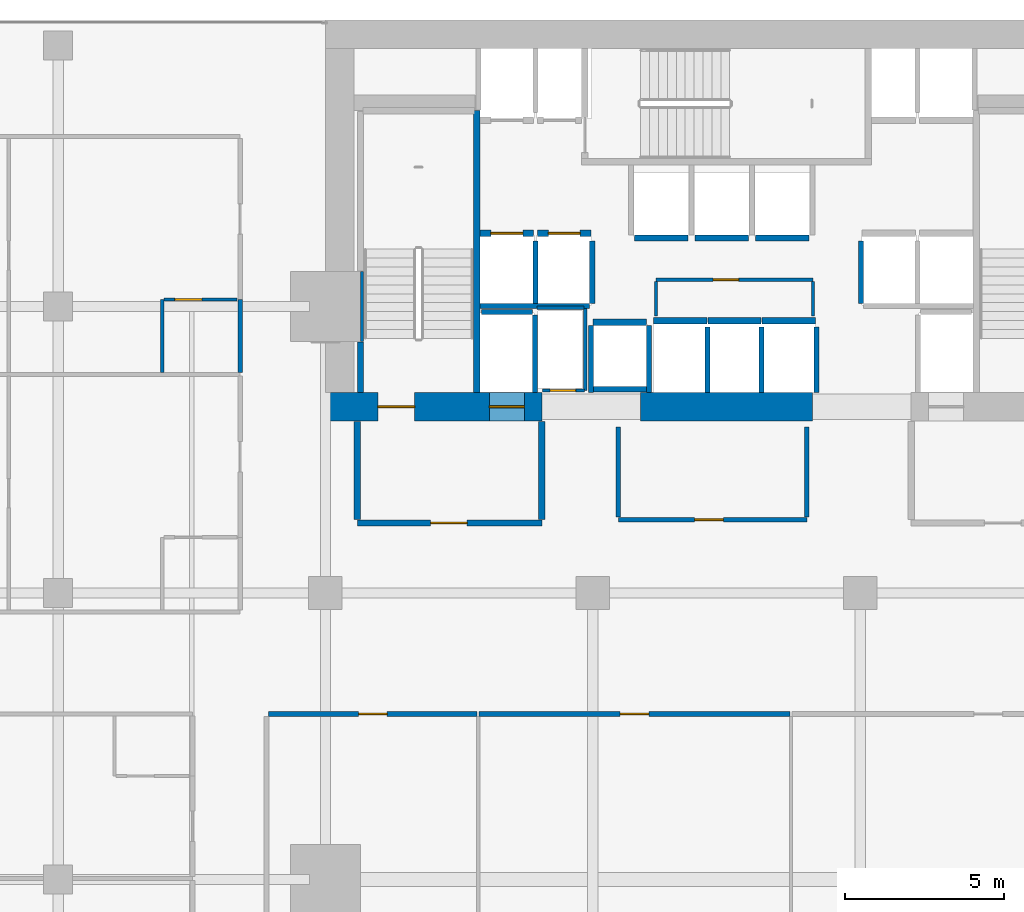
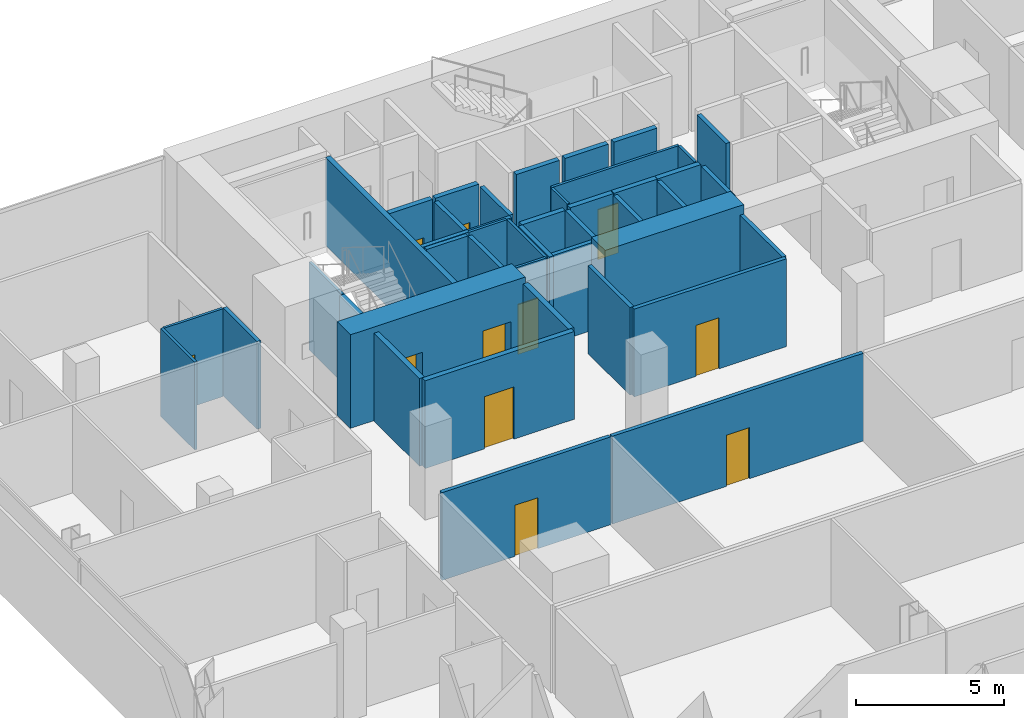
# One storey, part 35 of 40: 43 walls, 11 doors, 11 openings.
"""IFC4 building model written with IfcOpenShell, lengths in metres."""

import ifcopenshell
import ifcopenshell.guid

model = None  # the IFC model being written
_history = None  # IfcOwnerHistory: only IFC2X3 demands one
_inside = {}  # id of a spatial element -> (the spatial element, [elements in it])
_under = {}  # id of a project, library or spatial element -> (it, [spatial elements below it])
_declared = {}  # id of a project -> (the project, [libraries it declares])
_typed = {}  # id of a type object -> (the type object, [elements of that type])
_made_of = {}  # id of a material, layer set ... -> (it, [elements and type objects made of it])


def new_model(schema):
    """Start an empty IFC model of exactly this schema.

    Asked for "IFC4X3", IfcOpenShell would pick the latest addendum, in which some entities
    have other attributes; the version numbers below select the first issue.
    IFC2X3 requires an IfcOwnerHistory on every rooted entity: one is made here for all.
    """
    global model, _history
    if schema == "IFC4X3":
        model = ifcopenshell.file(schema_version=(4, 3, 0, 0))
    else:
        model = ifcopenshell.file(schema=schema)
    _inside.clear()
    _under.clear()
    _declared.clear()
    _typed.clear()
    _made_of.clear()
    _history = None
    if model.schema == "IFC2X3":
        org = make("IfcOrganization", Name="unknown")
        user = make(
            "IfcPersonAndOrganization",
            ThePerson=make("IfcPerson", FamilyName="unknown"),
            TheOrganization=org,
        )
        app = make(
            "IfcApplication",
            ApplicationDeveloper=org,
            Version="unknown",
            ApplicationFullName="unknown",
            ApplicationIdentifier="unknown",
        )
        _history = make(
            "IfcOwnerHistory",
            OwningUser=user,
            OwningApplication=app,
            ChangeAction="ADDED",
            CreationDate=0,
        )
    return model


def make(cls, **values):
    """One entity of the class cls with the attributes given. An attribute that is None is left unset."""
    return model.create_entity(
        cls, **{name: value for name, value in values.items() if value is not None}
    )


def rooted(cls, **values):
    """An entity with a GlobalId (a new one), such as an element, a storey or a relation."""
    return make(cls, GlobalId=ifcopenshell.guid.new(), OwnerHistory=_history, **values)


def si_unit(unit_type, name, prefix=None):
    """IfcSIUnit, for example si_unit("LENGTHUNIT", "METRE", prefix="MILLI")."""
    return make("IfcSIUnit", UnitType=unit_type, Prefix=prefix, Name=name)


def assignment(units):
    """IfcUnitAssignment: the units of a project."""
    return None if units is None else make("IfcUnitAssignment", Units=units)


def point(xyz):
    """IfcCartesianPoint."""
    return None if xyz is None else make("IfcCartesianPoint", Coordinates=xyz)


def direction(xyz):
    """IfcDirection."""
    return None if xyz is None else make("IfcDirection", DirectionRatios=xyz)


def frame(location, z_axis=None, x_axis=None):
    """IfcAxis2Placement3D, a coordinate frame: its origin and axes. An axis left out is left unset."""
    return make(
        "IfcAxis2Placement3D",
        Location=point(location),
        Axis=direction(z_axis),
        RefDirection=direction(x_axis),
    )


def frame_2d(location, x_axis=None):
    """IfcAxis2Placement2D, a coordinate frame in the plane: its origin and x axis."""
    return make(
        "IfcAxis2Placement2D", Location=point(location), RefDirection=direction(x_axis)
    )


def origin():
    """The frame at (0, 0, 0) with its axes left unset."""
    return frame((0.0, 0.0, 0.0))


def place(relative_to, where):
    """IfcLocalPlacement: puts the frame where relative to a parent placement (None: the world)."""
    return make(
        "IfcLocalPlacement", PlacementRelTo=relative_to, RelativePlacement=where
    )


def context(
    kind, dimensions, precision=None, world=None, true_north=None, identifier=None
):
    """IfcGeometricRepresentationContext, for example the 3D "Model" context."""
    return make(
        "IfcGeometricRepresentationContext",
        ContextIdentifier=identifier,
        ContextType=kind,
        CoordinateSpaceDimension=dimensions,
        Precision=precision,
        WorldCoordinateSystem=world,
        TrueNorth=true_north,
    )


def subcontext(parent, identifier, kind, view, scale=None):
    """IfcGeometricRepresentationSubContext, for example "Body" below "Model"."""
    return make(
        "IfcGeometricRepresentationSubContext",
        ContextIdentifier=identifier,
        ContextType=kind,
        ParentContext=parent,
        TargetScale=scale,
        TargetView=view,
    )


def project(units=None, contexts=None):
    """IfcProject with its units and contexts."""
    return rooted(
        "IfcProject",
        Name="project",
        RepresentationContexts=contexts,
        UnitsInContext=assignment(units),
    )


def spatial(cls, under=None, at=None, **own):
    """A site, building, storey or space (cls), placed at a placement, below another one or the project."""
    s = rooted(cls, ObjectPlacement=at, **own)
    if under is not None:
        _under.setdefault(under.id(), (under, []))[1].append(s)
    return s


def profile(cls, at=None, kind="AREA", **sizes):
    """A parametric profile (cls). Its sizes go by their IFC names, for example OverallWidth=200.0."""
    return make(cls, ProfileType=kind, Position=at, **sizes)


def rectangle(**sizes):
    """IfcRectangleProfileDef."""
    return profile("IfcRectangleProfileDef", **sizes)


def extrude(swept, where, along, depth):
    """IfcExtrudedAreaSolid: the profile swept, set in the frame where, extruded along a direction by depth."""
    return make(
        "IfcExtrudedAreaSolid",
        SweptArea=swept,
        Position=where,
        ExtrudedDirection=direction(along),
        Depth=depth,
    )


def shape(context_of_items, identifier, shape_type, items):
    """IfcShapeRepresentation: the items that make up one representation, for example the "Body"."""
    return make(
        "IfcShapeRepresentation",
        ContextOfItems=context_of_items,
        RepresentationIdentifier=identifier,
        RepresentationType=shape_type,
        Items=items,
    )


def material(Name=None, Category=None):
    """IfcMaterial."""
    return make("IfcMaterial", Name=Name, Category=Category)


def layer(
    of_material, thickness, ventilated=None, Name=None, Category=None, Priority=None
):
    """IfcMaterialLayer: one layer of a wall or slab, of a material (None: an air gap)."""
    return make(
        "IfcMaterialLayer",
        Material=of_material,
        LayerThickness=thickness,
        IsVentilated=ventilated,
        Name=Name,
        Category=Category,
        Priority=Priority,
    )


def layer_set(layers, Name=None):
    """IfcMaterialLayerSet."""
    return make("IfcMaterialLayerSet", MaterialLayers=layers, LayerSetName=Name)


def made_of(thing, what):
    """Note that an element or type object is made of a material, layer set ...; save() writes the relation."""
    if what is not None:
        _made_of.setdefault(what.id(), (what, []))[1].append(thing)
    return thing


def type_object(cls, material=None, **own):
    """A type object (cls), such as IfcWallType, which elements share."""
    return made_of(rooted(cls, **own), material)


def element(
    cls,
    number,
    at=None,
    inside=None,
    cuts=None,
    type_object=None,
    material=None,
    context=None,
    identifier="Body",
    shape_type=None,
    held_by="IfcProductDefinitionShape",
    body=None,
    shapes=None,
    **own,
):
    """One element of the class cls, such as IfcWall. Its Tag is "e" and its number.

    at: its placement. inside: the storey or other place that contains it. cuts: it is an
    opening in that element (IfcRelVoidsElement). A single representation is given by context,
    identifier, shape_type and body (its items); several are given by shapes. held_by: the class
    of the entity that holds the representations. save() writes the other relations.
    """
    e = rooted(cls, Tag="e%d" % number, ObjectPlacement=at, **own)
    if body is not None:
        shapes = [shape(context, identifier, shape_type, body)]
    if shapes is not None:
        e.Representation = make(held_by, Representations=shapes)
    if inside is not None:
        _inside.setdefault(inside.id(), (inside, []))[1].append(e)
    if cuts is not None:
        rooted(
            "IfcRelVoidsElement", RelatingBuildingElement=cuts, RelatedOpeningElement=e
        )
    if type_object is not None:
        _typed.setdefault(type_object.id(), (type_object, []))[1].append(e)
    return made_of(e, material)


def fill(opening, filler):
    """IfcRelFillsElement: the door or window that sits in an opening."""
    return rooted(
        "IfcRelFillsElement",
        RelatingOpeningElement=opening,
        RelatedBuildingElement=filler,
    )


def aggregate(whole, parts):
    """IfcRelAggregates: a whole, such as a stair, and the parts it consists of."""
    return rooted("IfcRelAggregates", RelatingObject=whole, RelatedObjects=parts)


def save(model, path):
    """Write the relations noted so far, then the file.

    IfcRelAggregates (storeys below a building ...), IfcRelContainedInSpatialStructure (elements
    in a storey), IfcRelDefinesByType, IfcRelAssociatesMaterial and IfcRelDeclares: one each for
    every whole, place, type object, material and project.
    """
    for whole, parts in _under.values():
        aggregate(whole, parts)
    for where, things in _inside.values():
        rooted(
            "IfcRelContainedInSpatialStructure",
            RelatedElements=things,
            RelatingStructure=where,
        )
    for kind, things in _typed.values():
        rooted("IfcRelDefinesByType", RelatedObjects=things, RelatingType=kind)
    for what, things in _made_of.values():
        rooted("IfcRelAssociatesMaterial", RelatedObjects=things, RelatingMaterial=what)
    for by, libraries in _declared.values():
        rooted("IfcRelDeclares", RelatingContext=by, RelatedDefinitions=libraries)
    model.write(path)


model = new_model("IFC4")

# Units and contexts
model_context = context("Model", 3, precision=1e-05, world=origin(), true_north=direction((0.0, 1.0)))
body_context = subcontext(model_context, "Body", "Model", "MODEL_VIEW")
ifc_project = project(units=[si_unit("LENGTHUNIT", "METRE"), si_unit("AREAUNIT", "SQUARE_METRE"), si_unit("VOLUMEUNIT", "CUBIC_METRE"), si_unit("PLANEANGLEUNIT", "RADIAN"), si_unit("MASSUNIT", "GRAM", prefix="KILO")], contexts=[model_context])

# Site, building, storey
site_placement = place(None, origin())
site = spatial("IfcSite", under=ifc_project, at=site_placement, CompositionType="ELEMENT")
building_placement = place(site_placement, origin())
building = spatial("IfcBuilding", under=site, at=building_placement, Name="Maruvema Waterfront Hotel and Observation Tower", CompositionType="ELEMENT")
storey_placement = place(building_placement, frame((0.0, 0.0, 42.35009765625)))
storey = spatial("IfcBuildingStorey", under=building, at=storey_placement, Name="L09", CompositionType="ELEMENT", Elevation=42.35009765625)

# Wall, opening, door
ifc_material_1 = material(Name="Twin-stud acoustic gypsum drywall", Category="gypsum")
ifc_layer_1 = layer(ifc_material_1, 0.14990234375, Name="Acoustic Corridor and Suite Demising Wall 150 mm")
ifc_layer_set_1 = layer_set([ifc_layer_1], Name="Twin-stud acoustic gypsum drywall")
wall_type_1 = type_object("IfcWallType", Name="Acoustic Corridor and Suite Demising Wall 150 mm", PredefinedType="PARTITIONING", material=ifc_layer_set_1)
wall_1_placement = place(storey_placement, frame((34.39990234375, 38.300048828125, 0.0), z_axis=(0.0, 0.0, 1.0), x_axis=(1.0, 0.0, 0.0)))
wall_1 = element("IfcWall", 1, at=wall_1_placement, inside=storey, type_object=wall_type_1, Name="L09 Core Apron K0 South 013", PredefinedType="PARTITIONING", context=body_context, shape_type="SweptSolid", body=[
    extrude(rectangle(XDim=5.920166015625, YDim=0.14990234375, at=frame_2d((2.9599609375, 0.0))), origin(), (0.0, 0.0, 1.0), 3.60986328125),
])
opening_1_placement = place(wall_1_placement, frame((2.39990234375, 0.0, 0.0)))
opening_1 = element("IfcOpeningElement", 2, at=opening_1_placement, cuts=wall_1, Name="Opening DR-090", PredefinedType="OPENING", context=body_context, shape_type="SweptSolid", body=[
    extrude(rectangle(XDim=0.89990234375, YDim=2.10009765625, at=frame_2d((0.449951171875, 1.050048828125))), frame((0.0, 0.0849609375, 0.0), z_axis=(0.0, -1.0, 0.0), x_axis=(1.0, 0.0, 0.0)), (0.0, 0.0, 1.0), 0.169921875),
])
ifc_material_2 = material(Name="Solid-core lacquered timber leaf", Category="wood")
door_type_1 = type_object("IfcDoorType", Name="Accessible Toilet and Room Door 900x2100 mm", OperationType="NOTDEFINED", PredefinedType="DOOR", material=ifc_material_2)
door_1_placement = place(opening_1_placement, frame((0.89990234375, 0.0, 0.0), z_axis=(0.0, 0.0, 1.0), x_axis=(-1.0, 0.0, 0.0)))
door_1 = element("IfcDoor", 3, at=door_1_placement, inside=storey, type_object=door_type_1, Name="L09 Core Valet Room Door", OperationType="SINGLE_SWING_LEFT", OverallHeight=2.10009765625, OverallWidth=0.89990234375, PredefinedType="DOOR", context=body_context, shape_type="SweptSolid", body=[
    extrude(rectangle(XDim=0.89990234375, YDim=2.10009765625, at=frame_2d((0.449951171875, 1.050048828125))), frame((0.0, 0.02490234375, 0.0), z_axis=(0.0, -1.0, 0.0), x_axis=(1.0, 0.0, 0.0)), (0.0, 0.0, 1.0), 0.050048828125),
])
fill(opening_1, door_1)

# Walls
for number, where, z_axis, x_axis, name in (
    (4, (34.39990234375, 38.3798828125, 0.0), (0.0, 0.0, 1.0), (0.0, 1.0, 0.0), "L09 Core Apron K0 West 014"),
    (5, (40.320068359375, 38.3798828125, 0.0), (0.0, 0.0, 1.0), (0.0, 1.0, 0.0), "L09 Core Apron K0 East 015"),
):
    element("IfcWall", number, at=place(storey_placement, frame(where, z_axis=z_axis, x_axis=x_axis)), inside=storey, type_object=wall_type_1, Name=name, PredefinedType="PARTITIONING", context=body_context, shape_type="SweptSolid", body=[
        extrude(rectangle(XDim=2.840087890625, YDim=0.14990234375, at=frame_2d((1.419921875, 0.0))), origin(), (0.0, 0.0, 1.0), 3.60986328125),
    ])

# Wall, opening, door
wall_2_placement = place(storey_placement, frame((23.409912109375, 32.199951171875, 0.0), z_axis=(0.0, 0.0, 1.0), x_axis=(1.0, 0.0, 0.0)))
wall_2 = element("IfcWall", 6, at=wall_2_placement, inside=storey, type_object=wall_type_1, Name="L09 L09-INTN Front 1 019", PredefinedType="PARTITIONING", context=body_context, shape_type="SweptSolid", body=[
    extrude(rectangle(XDim=6.55712890625, YDim=0.14990234375, at=frame_2d((3.278564453125, 0.0))), origin(), (0.0, 0.0, 1.0), 3.60986328125),
])
opening_2_placement = place(wall_2_placement, frame((2.82861328125, 0.0, 0.0)))
opening_2 = element("IfcOpeningElement", 7, at=opening_2_placement, cuts=wall_2, Name="Opening DR-090", PredefinedType="OPENING", context=body_context, shape_type="SweptSolid", body=[
    extrude(rectangle(XDim=0.89990234375, YDim=2.10009765625, at=frame_2d((0.449951171875, 1.050048828125))), frame((0.0, 0.0849609375, 0.0), z_axis=(0.0, -1.0, 0.0), x_axis=(1.0, 0.0, 0.0)), (0.0, 0.0, 1.0), 0.169921875),
])
door_2_placement = place(opening_2_placement, origin())
door_2 = element("IfcDoor", 8, at=door_2_placement, inside=storey, type_object=door_type_1, Name="L09 Executive Meeting Room 1 Door", OperationType="SINGLE_SWING_RIGHT", OverallHeight=2.10009765625, OverallWidth=0.89990234375, PredefinedType="DOOR", context=body_context, shape_type="SweptSolid", body=[
    extrude(rectangle(XDim=0.89990234375, YDim=2.10009765625, at=frame_2d((0.449951171875, 1.050048828125))), frame((0.0, 0.02490234375, 0.0), z_axis=(0.0, -1.0, 0.0), x_axis=(1.0, 0.0, 0.0)), (0.0, 0.0, 1.0), 0.050048828125),
])
fill(opening_2, door_2)

wall_3_placement = place(storey_placement, frame((30.027099609375, 32.199951171875, 0.0), z_axis=(0.0, 0.0, 1.0), x_axis=(1.0, 0.0, 0.0)))
wall_3 = element("IfcWall", 9, at=wall_3_placement, inside=storey, type_object=wall_type_1, Name="L09 L09-INTN Front 2 021", PredefinedType="PARTITIONING", context=body_context, shape_type="SweptSolid", body=[
    extrude(rectangle(XDim=9.765869140625, YDim=0.14990234375, at=frame_2d((4.8828125, 0.0))), origin(), (0.0, 0.0, 1.0), 3.60986328125),
])
opening_3_placement = place(wall_3_placement, frame((4.43310546875, 0.0, 0.0)))
opening_3 = element("IfcOpeningElement", 10, at=opening_3_placement, cuts=wall_3, Name="Opening DR-090", PredefinedType="OPENING", context=body_context, shape_type="SweptSolid", body=[
    extrude(rectangle(XDim=0.89990234375, YDim=2.10009765625, at=frame_2d((0.449951171875, 1.050048828125))), frame((0.0, 0.0849609375, 0.0), z_axis=(0.0, -1.0, 0.0), x_axis=(1.0, 0.0, 0.0)), (0.0, 0.0, 1.0), 0.169921875),
])
door_3_placement = place(opening_3_placement, origin())
door_3 = element("IfcDoor", 11, at=door_3_placement, inside=storey, type_object=door_type_1, Name="L09 Executive Meeting Room 2 Door", OperationType="SINGLE_SWING_LEFT", OverallHeight=2.10009765625, OverallWidth=0.89990234375, PredefinedType="DOOR", context=body_context, shape_type="SweptSolid", body=[
    extrude(rectangle(XDim=0.89990234375, YDim=2.10009765625, at=frame_2d((0.449951171875, 1.050048828125))), frame((0.0, 0.02490234375, 0.0), z_axis=(0.0, -1.0, 0.0), x_axis=(1.0, 0.0, 0.0)), (0.0, 0.0, 1.0), 0.050048828125),
])
fill(opening_3, door_3)

# Walls
wall_4_placement = place(storey_placement, frame((22.52001953125, 42.9287109375, 0.0), z_axis=(0.0, 0.0, 1.0), x_axis=(0.0, 1.0, 0.0)))
element("IfcWall", 12, at=wall_4_placement, inside=storey, type_object=wall_type_1, Name="L09 Bath L09-NW2 Wall 107", PredefinedType="PARTITIONING", context=body_context, shape_type="SweptSolid", body=[
    extrude(rectangle(XDim=2.2900390625, YDim=0.14990234375, at=frame_2d((1.14501953125, 0.0))), origin(), (0.0, 0.0, 1.0), 3.60986328125),
])
ifc_material_3 = material(Name="Precast concrete C45/55", Category="concrete")
ifc_layer_2 = layer(ifc_material_3, 0.199951171875, Name="Core Shaft and Stairwell Enclosure Wall 200 mm")
ifc_layer_set_2 = layer_set([ifc_layer_2], Name="Precast concrete C45/55")
wall_type_2 = type_object("IfcWallType", Name="Core Shaft and Stairwell Enclosure Wall 200 mm", PredefinedType="SOLIDWALL", material=ifc_layer_set_2)
wall_5_placement = place(storey_placement, frame((29.949951171875, 42.300048828125, 0.0), z_axis=(0.0, 0.0, 1.0), x_axis=(0.0, 1.0, 0.0)))
element("IfcWall", 13, at=wall_5_placement, inside=storey, type_object=wall_type_2, Name="L09 Stairwell ST-01 East Shaft Wall", PredefinedType="SOLIDWALL", context=body_context, shape_type="SweptSolid", body=[
    extrude(rectangle(XDim=8.849853515625, YDim=0.199951171875, at=frame_2d((4.4248046875, 0.0))), origin(), (0.0, 0.0, 1.0), 3.60986328125),
])
wall_6_placement = place(storey_placement, frame((26.300048828125, 42.300048828125, 0.0), z_axis=(0.0, 0.0, 1.0), x_axis=(0.0, 1.0, 0.0)))
element("IfcWall", 14, at=wall_6_placement, inside=storey, type_object=wall_type_2, Name="L09 Stairwell ST-01 Shaft Lining Wall", PredefinedType="SOLIDWALL", context=body_context, shape_type="SweptSolid", body=[
    extrude(rectangle(XDim=1.579833984375, YDim=0.199951171875, at=frame_2d((0.7900390625, 0.0))), origin(), (0.0, 0.0, 1.0), 3.60986328125),
])

# Wall, opening, door
wall_7_placement = place(storey_placement, frame((30.06005859375, 47.300048828125, 0.0), z_axis=(0.0, 0.0, 1.0), x_axis=(1.0, 0.0, 0.0)))
wall_7 = element("IfcWall", 15, at=wall_7_placement, inside=storey, type_object=wall_type_2, Name="L09 Lift LF-01 Hoistway Front Wall", PredefinedType="SOLIDWALL", context=body_context, shape_type="SweptSolid", body=[
    extrude(rectangle(XDim=1.679931640625, YDim=0.199951171875, at=frame_2d((0.83984375, 0.0))), origin(), (0.0, 0.0, 1.0), 3.60986328125),
])
opening_4_placement = place(wall_7_placement, frame((0.340087890625, 0.0, 0.0)))
opening_4 = element("IfcOpeningElement", 16, at=opening_4_placement, cuts=wall_7, Name="Opening LD-01", PredefinedType="OPENING", context=body_context, shape_type="SweptSolid", body=[
    extrude(rectangle(XDim=1.0, YDim=2.14990234375, at=frame_2d((0.5, 1.074951171875))), frame((0.0, 0.10986328125, 0.0), z_axis=(0.0, -1.0, 0.0), x_axis=(1.0, 0.0, 0.0)), (0.0, 0.0, 1.0), 0.219970703125),
])
ifc_material_4 = material(Name="Brushed stainless steel Grade 316", Category="steel")
door_type_2 = type_object("IfcDoorType", Name="Passenger Lift Sliding Landing Door 1000x2150 mm", OperationType="SLIDING_TO_LEFT", PredefinedType="DOOR", material=ifc_material_4)
door_4_placement = place(opening_4_placement, origin())
door_4 = element("IfcDoor", 17, at=door_4_placement, inside=storey, type_object=door_type_2, Name="L09 Lift LF-01 Sliding Landing Door", OperationType="SLIDING_TO_LEFT", OverallHeight=2.14990234375, OverallWidth=1.0, PredefinedType="DOOR", context=body_context, shape_type="SweptSolid", body=[
    extrude(rectangle(XDim=1.0, YDim=2.14990234375, at=frame_2d((0.5, 1.074951171875))), frame((0.0, 0.02490234375, 0.0), z_axis=(0.0, -1.0, 0.0), x_axis=(1.0, 0.0, 0.0)), (0.0, 0.0, 1.0), 0.050048828125),
])
fill(opening_4, door_4)

wall_8_placement = place(storey_placement, frame((31.860107421875, 47.300048828125, 0.0), z_axis=(0.0, 0.0, 1.0), x_axis=(1.0, 0.0, 0.0)))
wall_8 = element("IfcWall", 18, at=wall_8_placement, inside=storey, type_object=wall_type_2, Name="L09 Lift LF-02 Hoistway Front Wall", PredefinedType="SOLIDWALL", context=body_context, shape_type="SweptSolid", body=[
    extrude(rectangle(XDim=1.679931640625, YDim=0.199951171875, at=frame_2d((0.83984375, 0.0))), origin(), (0.0, 0.0, 1.0), 3.60986328125),
])
opening_5_placement = place(wall_8_placement, frame((0.340087890625, 0.0, 0.0)))
opening_5 = element("IfcOpeningElement", 19, at=opening_5_placement, cuts=wall_8, Name="Opening LD-01", PredefinedType="OPENING", context=body_context, shape_type="SweptSolid", body=[
    extrude(rectangle(XDim=1.0, YDim=2.14990234375, at=frame_2d((0.5, 1.074951171875))), frame((0.0, 0.10986328125, 0.0), z_axis=(0.0, -1.0, 0.0), x_axis=(1.0, 0.0, 0.0)), (0.0, 0.0, 1.0), 0.219970703125),
])
door_5_placement = place(opening_5_placement, origin())
door_5 = element("IfcDoor", 20, at=door_5_placement, inside=storey, type_object=door_type_2, Name="L09 Lift LF-02 Sliding Landing Door", OperationType="SLIDING_TO_LEFT", OverallHeight=2.14990234375, OverallWidth=1.0, PredefinedType="DOOR", context=body_context, shape_type="SweptSolid", body=[
    extrude(rectangle(XDim=1.0, YDim=2.14990234375, at=frame_2d((0.5, 1.074951171875))), frame((0.0, 0.02490234375, 0.0), z_axis=(0.0, -1.0, 0.0), x_axis=(1.0, 0.0, 0.0)), (0.0, 0.0, 1.0), 0.050048828125),
])
fill(opening_5, door_5)

# Walls
for number, where, z_axis, x_axis, name in (
    (21, (35.510009765625, 44.550048828125, 0.0), (0.0, 0.0, 1.0), (1.0, 0.0, 0.0), "L09 Lift LF-09 Hoistway Front Wall"),
    (22, (37.2099609375, 44.550048828125, 0.0), (0.0, 0.0, 1.0), (1.0, 0.0, 0.0), "L09 Lift LF-10 Hoistway Front Wall"),
):
    element("IfcWall", number, at=place(storey_placement, frame(where, z_axis=z_axis, x_axis=x_axis)), inside=storey, type_object=wall_type_2, Name=name, PredefinedType="SOLIDWALL", context=body_context, shape_type="SweptSolid", body=[
        extrude(rectangle(XDim=1.679931640625, YDim=0.199951171875, at=frame_2d((0.83984375, 0.0))), origin(), (0.0, 0.0, 1.0), 3.60986328125),
    ])
for number, where, z_axis, x_axis, name in (
    (23, (38.909912109375, 44.550048828125, 0.0), (0.0, 0.0, 1.0), (1.0, 0.0, 0.0), "L09 Lift LF-11 Hoistway Front Wall"),
    (24, (34.909912109375, 47.14990234375, 0.0), (0.0, 0.0, 1.0), (1.0, 0.0, 0.0), "L09 Lift LF-12 Hoistway Front Wall"),
):
    element("IfcWall", number, at=place(storey_placement, frame(where, z_axis=z_axis, x_axis=x_axis)), inside=storey, type_object=wall_type_2, Name=name, PredefinedType="SOLIDWALL", context=body_context, shape_type="SweptSolid", body=[
        extrude(rectangle(XDim=1.68017578125, YDim=0.199951171875, at=frame_2d((0.840087890625, 0.0))), origin(), (0.0, 0.0, 1.0), 3.60986328125),
    ])
for number, where, z_axis, x_axis, name in (
    (25, (36.81005859375, 47.14990234375, 0.0), (0.0, 0.0, 1.0), (1.0, 0.0, 0.0), "L09 Lift LF-13 Hoistway Front Wall"),
    (26, (38.7099609375, 47.14990234375, 0.0), (0.0, 0.0, 1.0), (1.0, 0.0, 0.0), "L09 Lift LF-14 Hoistway Front Wall"),
    (27, (33.610107421875, 44.5, 0.0), (0.0, 0.0, 1.0), (1.0, 0.0, 0.0), "L09 Lift LF-15 Hoistway Front Wall"),
):
    element("IfcWall", number, at=place(storey_placement, frame(where, z_axis=z_axis, x_axis=x_axis)), inside=storey, type_object=wall_type_2, Name=name, PredefinedType="SOLIDWALL", context=body_context, shape_type="SweptSolid", body=[
        extrude(rectangle(XDim=1.679931640625, YDim=0.199951171875, at=frame_2d((0.83984375, 0.0))), origin(), (0.0, 0.0, 1.0), 3.60986328125),
    ])

# Wall, openings, doors
ifc_material_5 = material(Name="Concrete C80/95", Category="concrete")
ifc_layer_3 = layer(ifc_material_5, 0.89990234375, Name="Core Shear Wall 900 mm")
ifc_layer_set_3 = layer_set([ifc_layer_3], Name="Concrete C80/95")
wall_type_3 = type_object("IfcWallType", Name="Core Shear Wall 900 mm", PredefinedType="SHEAR", material=ifc_layer_set_3)
wall_9_placement = place(storey_placement, frame((25.199951171875, 41.85009765625, 0.0), z_axis=(0.0, 0.0, 1.0), x_axis=(1.0, 0.0, 0.0)))
wall_9 = element("IfcWall", 28, at=wall_9_placement, inside=storey, type_object=wall_type_3, Name="L09 South-West Core Shear Wall", PredefinedType="SHEAR", context=body_context, shape_type="SweptSolid", body=[
    extrude(rectangle(XDim=6.800048828125, YDim=0.89990234375, at=frame_2d((3.39990234375, 0.0))), origin(), (0.0, 0.0, 1.0), 3.849853515625),
])
opening_6_placement = place(wall_9_placement, frame((1.64990234375, 0.0, 0.0)))
opening_6 = element("IfcOpeningElement", 29, at=opening_6_placement, cuts=wall_9, Name="Opening SD-01", PredefinedType="OPENING", context=body_context, shape_type="SweptSolid", body=[
    extrude(rectangle(XDim=1.14990234375, YDim=2.14990234375, at=frame_2d((0.574951171875, 1.074951171875))), frame((0.0, 0.4599609375, 0.0), z_axis=(0.0, -1.0, 0.0), x_axis=(1.0, 0.0, 0.0)), (0.0, 0.0, 1.0), 0.919921875),
])
opening_7_placement = place(wall_9_placement, frame((5.14990234375, 0.0, 0.0)))
opening_7 = element("IfcOpeningElement", 30, at=opening_7_placement, cuts=wall_9, Name="Opening LD-03", PredefinedType="OPENING", context=body_context, shape_type="SweptSolid", body=[
    extrude(rectangle(XDim=1.10009765625, YDim=2.199951171875, at=frame_2d((0.550048828125, 1.10009765625))), frame((0.0, 0.4599609375, 0.0), z_axis=(0.0, -1.0, 0.0), x_axis=(1.0, 0.0, 0.0)), (0.0, 0.0, 1.0), 0.919921875),
])
ifc_material_6 = material(Name="Fire-rated galvanised steel leaf", Category="steel")
door_type_3 = type_object("IfcDoorType", Name="Exit Stair Fire Door 1150x2150 mm", OperationType="NOTDEFINED", PredefinedType="DOOR", material=ifc_material_6)
door_6_placement = place(opening_6_placement, origin())
door_6 = element("IfcDoor", 31, at=door_6_placement, inside=storey, type_object=door_type_3, Name="L09 Exit Stair ST-01 Fire Door", OperationType="SINGLE_SWING_LEFT", OverallHeight=2.14990234375, OverallWidth=1.14990234375, PredefinedType="DOOR", context=body_context, shape_type="SweptSolid", body=[
    extrude(rectangle(XDim=1.14990234375, YDim=2.14990234375, at=frame_2d((0.574951171875, 1.074951171875))), frame((0.0, 0.02490234375, 0.0), z_axis=(0.0, -1.0, 0.0), x_axis=(1.0, 0.0, 0.0)), (0.0, 0.0, 1.0), 0.050048828125),
])
fill(opening_6, door_6)
ifc_material_7 = material(Name="Brushed stainless steel Grade 316", Category="steel")
door_type_4 = type_object("IfcDoorType", Name="Firefighting Lift Sliding Landing Door 1100x2200 mm", OperationType="SLIDING_TO_LEFT", PredefinedType="DOOR", material=ifc_material_7)
door_7_placement = place(opening_7_placement, frame((1.10009765625, 0.0, 0.0), z_axis=(0.0, 0.0, 1.0), x_axis=(-1.0, 0.0, 0.0)))
door_7 = element("IfcDoor", 32, at=door_7_placement, inside=storey, type_object=door_type_4, Name="L09 Firefighting Lift FL-01 Landing Door", OperationType="SLIDING_TO_LEFT", OverallHeight=2.199951171875, OverallWidth=1.10009765625, PredefinedType="DOOR", context=body_context, shape_type="SweptSolid", body=[
    extrude(rectangle(XDim=1.10009765625, YDim=2.199951171875, at=frame_2d((0.550048828125, 1.10009765625))), frame((0.0, 0.02490234375, 0.0), z_axis=(0.0, -1.0, 0.0), x_axis=(1.0, 0.0, 0.0)), (0.0, 0.0, 1.0), 0.050048828125),
])
fill(opening_7, door_7)

# Wall
wall_10_placement = place(storey_placement, frame((35.10009765625, 41.85009765625, 0.0), z_axis=(0.0, 0.0, 1.0), x_axis=(1.0, 0.0, 0.0)))
element("IfcWall", 33, at=wall_10_placement, inside=storey, type_object=wall_type_3, Name="L09 South-Central Core Shear Wall", PredefinedType="SHEAR", context=body_context, shape_type="SweptSolid", body=[
    extrude(rectangle(XDim=5.39990234375, YDim=0.89990234375, at=frame_2d((2.699951171875, 0.0))), origin(), (0.0, 0.0, 1.0), 3.849853515625),
])

# Wall, opening, door
ifc_material_8 = material(Name="Moisture-resistant cement-board drywall", Category="gypsum")
ifc_layer_4 = layer(ifc_material_8, 0.10009765625, Name="En-Suite Moisture-Resistant Partition 100 mm")
ifc_layer_set_4 = layer_set([ifc_layer_4], Name="Moisture-resistant cement-board drywall")
wall_type_4 = type_object("IfcWallType", Name="En-Suite Moisture-Resistant Partition 100 mm", PredefinedType="PARTITIONING", material=ifc_layer_set_4)
wall_11_placement = place(storey_placement, frame((32.02001953125, 42.360107421875, 0.0), z_axis=(0.0, 0.0, 1.0), x_axis=(1.0, 0.0, 0.0)))
wall_11 = element("IfcWall", 34, at=wall_11_placement, inside=storey, type_object=wall_type_4, Name="L09 Telecom Riser South Wall 007", PredefinedType="PARTITIONING", context=body_context, shape_type="SweptSolid", body=[
    extrude(rectangle(XDim=1.320068359375, YDim=0.10009765625, at=frame_2d((0.66015625, 0.0))), origin(), (0.0, 0.0, 1.0), 3.60986328125),
])
opening_8_placement = place(wall_11_placement, frame((0.239990234375, 0.0, 0.0)))
opening_8 = element("IfcOpeningElement", 35, at=opening_8_placement, cuts=wall_11, Name="Opening DR-080", PredefinedType="OPENING", context=body_context, shape_type="SweptSolid", body=[
    extrude(rectangle(XDim=0.800048828125, YDim=2.050048828125, at=frame_2d((0.39990234375, 1.02490234375))), frame((0.0, 0.06005859375, 0.0), z_axis=(0.0, -1.0, 0.0), x_axis=(1.0, 0.0, 0.0)), (0.0, 0.0, 1.0), 0.1201171875),
])
ifc_material_9 = material(Name="Powder-coated steel access leaf", Category="steel")
door_type_5 = type_object("IfcDoorType", Name="Riser and Service Cupboard Door 800x2050 mm", OperationType="NOTDEFINED", PredefinedType="DOOR", material=ifc_material_9)
door_8_placement = place(opening_8_placement, frame((0.800048828125, 0.0, 0.0), z_axis=(0.0, 0.0, 1.0), x_axis=(-1.0, 0.0, 0.0)))
door_8 = element("IfcDoor", 36, at=door_8_placement, inside=storey, type_object=door_type_5, Name="L09 Telecom Riser Door", OperationType="SINGLE_SWING_LEFT", OverallHeight=2.050048828125, OverallWidth=0.800048828125, PredefinedType="DOOR", context=body_context, shape_type="SweptSolid", body=[
    extrude(rectangle(XDim=0.800048828125, YDim=2.050048828125, at=frame_2d((0.39990234375, 1.02490234375))), frame((0.0, 0.02490234375, 0.0), z_axis=(0.0, -1.0, 0.0), x_axis=(1.0, 0.0, 0.0)), (0.0, 0.0, 1.0), 0.050048828125),
])
fill(opening_8, door_8)

# Walls
wall_12_placement = place(storey_placement, frame((31.840087890625, 44.9599609375, 0.0), z_axis=(0.0, 0.0, 1.0), x_axis=(1.0, 0.0, 0.0)))
element("IfcWall", 37, at=wall_12_placement, inside=storey, type_object=wall_type_4, Name="L09 Telecom Riser North Wall 008", PredefinedType="PARTITIONING", context=body_context, shape_type="SweptSolid", body=[
    extrude(rectangle(XDim=1.47998046875, YDim=0.10009765625, at=frame_2d((0.739990234375, 0.0))), origin(), (0.0, 0.0, 1.0), 3.60986328125),
])
wall_13_placement = place(storey_placement, frame((33.360107421875, 42.360107421875, 0.0), z_axis=(0.0, 0.0, 1.0), x_axis=(0.0, 1.0, 0.0)))
element("IfcWall", 38, at=wall_13_placement, inside=storey, type_object=wall_type_4, Name="L09 Telecom Riser East Wall 009", PredefinedType="PARTITIONING", context=body_context, shape_type="SweptSolid", body=[
    extrude(rectangle(XDim=2.579833984375, YDim=0.10009765625, at=frame_2d((1.2900390625, 0.0))), origin(), (0.0, 0.0, 1.0), 3.60986328125),
])

# Wall, opening, door
wall_14_placement = place(storey_placement, frame((35.580078125, 45.840087890625, 0.0), z_axis=(0.0, 0.0, 1.0), x_axis=(1.0, 0.0, 0.0)))
wall_14 = element("IfcWall", 39, at=wall_14_placement, inside=storey, type_object=wall_type_4, Name="L09 Core Closet K0 North 010", PredefinedType="PARTITIONING", context=body_context, shape_type="SweptSolid", body=[
    extrude(rectangle(XDim=4.93994140625, YDim=0.10009765625, at=frame_2d((2.469970703125, 0.0))), origin(), (0.0, 0.0, 1.0), 3.60986328125),
])
opening_9_placement = place(wall_14_placement, frame((1.800048828125, 0.0, 0.0)))
opening_9 = element("IfcOpeningElement", 40, at=opening_9_placement, cuts=wall_14, Name="Opening DR-080", PredefinedType="OPENING", context=body_context, shape_type="SweptSolid", body=[
    extrude(rectangle(XDim=0.800048828125, YDim=2.050048828125, at=frame_2d((0.39990234375, 1.02490234375))), frame((0.0, 0.06005859375, 0.0), z_axis=(0.0, -1.0, 0.0), x_axis=(1.0, 0.0, 0.0)), (0.0, 0.0, 1.0), 0.1201171875),
])
door_9_placement = place(opening_9_placement, origin())
door_9 = element("IfcDoor", 41, at=door_9_placement, inside=storey, type_object=door_type_5, Name="L09 Core Electrical Closet Door", OperationType="SINGLE_SWING_RIGHT", OverallHeight=2.050048828125, OverallWidth=0.800048828125, PredefinedType="DOOR", context=body_context, shape_type="SweptSolid", body=[
    extrude(rectangle(XDim=0.800048828125, YDim=2.050048828125, at=frame_2d((0.39990234375, 1.02490234375))), frame((0.0, 0.02490234375, 0.0), z_axis=(0.0, -1.0, 0.0), x_axis=(1.0, 0.0, 0.0)), (0.0, 0.0, 1.0), 0.050048828125),
])
fill(opening_9, door_9)

# Walls
for number, where, z_axis, x_axis, name in (
    (42, (35.580078125, 44.699951171875, 0.0), (0.0, 0.0, 1.0), (0.0, 1.0, 0.0), "L09 Core Closet K0 West 011"),
    (43, (40.52001953125, 44.699951171875, 0.0), (0.0, 0.0, 1.0), (0.0, 1.0, 0.0), "L09 Core Closet K0 East 012"),
):
    element("IfcWall", number, at=place(storey_placement, frame(where, z_axis=z_axis, x_axis=x_axis)), inside=storey, type_object=wall_type_4, Name=name, PredefinedType="PARTITIONING", context=body_context, shape_type="SweptSolid", body=[
        extrude(rectangle(XDim=1.080078125, YDim=0.10009765625, at=frame_2d((0.5400390625, 0.0))), origin(), (0.0, 0.0, 1.0), 3.60986328125),
    ])
wall_15_placement = place(storey_placement, frame((20.070068359375, 42.9287109375, 0.0), z_axis=(0.0, 0.0, 1.0), x_axis=(0.0, 1.0, 0.0)))
element("IfcWall", 44, at=wall_15_placement, inside=storey, type_object=wall_type_4, Name="L09 En-Suite L09-NW2 W 109", PredefinedType="PARTITIONING", context=body_context, shape_type="SweptSolid", body=[
    extrude(rectangle(XDim=2.2900390625, YDim=0.10009765625, at=frame_2d((1.14501953125, 0.0))), origin(), (0.0, 0.0, 1.0), 3.60986328125),
])

# Wall, opening, door
wall_16_placement = place(storey_placement, frame((20.1201171875, 45.21875, 0.0), z_axis=(0.0, 0.0, 1.0), x_axis=(1.0, 0.0, 0.0)))
wall_16 = element("IfcWall", 45, at=wall_16_placement, inside=storey, type_object=wall_type_4, Name="L09 En-Suite L09-NW2 N 110", PredefinedType="PARTITIONING", context=body_context, shape_type="SweptSolid", body=[
    extrude(rectangle(XDim=2.2998046875, YDim=0.10009765625, at=frame_2d((1.14990234375, 0.0))), origin(), (0.0, 0.0, 1.0), 3.60986328125),
])
opening_10_placement = place(wall_16_placement, frame((0.35009765625, 0.0, 0.0)))
opening_10 = element("IfcOpeningElement", 46, at=opening_10_placement, cuts=wall_16, Name="Opening DR-085", PredefinedType="OPENING", context=body_context, shape_type="SweptSolid", body=[
    extrude(rectangle(XDim=0.85009765625, YDim=2.10009765625, at=frame_2d((0.425048828125, 1.050048828125))), frame((0.0, 0.06005859375, 0.0), z_axis=(0.0, -1.0, 0.0), x_axis=(1.0, 0.0, 0.0)), (0.0, 0.0, 1.0), 0.1201171875),
])
ifc_material_10 = material(Name="Moisture-resistant solid timber leaf", Category="wood")
door_type_6 = type_object("IfcDoorType", Name="En-Suite Bathroom Door 850x2100 mm", OperationType="NOTDEFINED", PredefinedType="DOOR", material=ifc_material_10)
door_10_placement = place(opening_10_placement, origin())
door_10 = element("IfcDoor", 47, at=door_10_placement, inside=storey, type_object=door_type_6, Name="L09 En-Suite L09-NW2 Door", OperationType="SINGLE_SWING_LEFT", OverallHeight=2.10009765625, OverallWidth=0.85009765625, PredefinedType="DOOR", context=body_context, shape_type="SweptSolid", body=[
    extrude(rectangle(XDim=0.85009765625, YDim=2.10009765625, at=frame_2d((0.425048828125, 1.050048828125))), frame((0.0, 0.02490234375, 0.0), z_axis=(0.0, -1.0, 0.0), x_axis=(1.0, 0.0, 0.0)), (0.0, 0.0, 1.0), 0.050048828125),
])
fill(opening_10, door_10)

ifc_material_11 = material(Name="Autoclaved cellular concrete blockwork", Category="masonry")
ifc_layer_5 = layer(ifc_material_11, 0.199951171875, Name="Fire Compartment Masonry Wall 200 mm")
ifc_layer_set_5 = layer_set([ifc_layer_5], Name="Autoclaved cellular concrete blockwork")
wall_type_5 = type_object("IfcWallType", Name="Fire Compartment Masonry Wall 200 mm", PredefinedType="PARTITIONING", material=ifc_layer_set_5)
wall_17_placement = place(storey_placement, frame((26.199951171875, 38.199951171875, 0.0), z_axis=(0.0, 0.0, 1.0), x_axis=(1.0, 0.0, 0.0)))
wall_17 = element("IfcWall", 48, at=wall_17_placement, inside=storey, type_object=wall_type_5, Name="L09 FFL West South Wall 001", PredefinedType="PARTITIONING", context=body_context, shape_type="SweptSolid", body=[
    extrude(rectangle(XDim=5.800048828125, YDim=0.199951171875, at=frame_2d((2.89990234375, 0.0))), origin(), (0.0, 0.0, 1.0), 3.60986328125),
])
opening_11_placement = place(wall_17_placement, frame((2.300048828125, 0.0, 0.0)))
opening_11 = element("IfcOpeningElement", 49, at=opening_11_placement, cuts=wall_17, Name="Opening FD-115", PredefinedType="OPENING", context=body_context, shape_type="SweptSolid", body=[
    extrude(rectangle(XDim=1.14990234375, YDim=2.14990234375, at=frame_2d((0.574951171875, 1.074951171875))), frame((0.0, 0.10986328125, 0.0), z_axis=(0.0, -1.0, 0.0), x_axis=(1.0, 0.0, 0.0)), (0.0, 0.0, 1.0), 0.219970703125),
])
ifc_material_12 = material(Name="Fire-rated galvanised steel and vision glass", Category="steel")
door_type_7 = type_object("IfcDoorType", Name="Firefighting Lobby Fire Door 1150x2150 mm", OperationType="NOTDEFINED", PredefinedType="DOOR", material=ifc_material_12)
door_11_placement = place(opening_11_placement, frame((1.14990234375, 0.0, 0.0), z_axis=(0.0, 0.0, 1.0), x_axis=(-1.0, 0.0, 0.0)))
door_11 = element("IfcDoor", 50, at=door_11_placement, inside=storey, type_object=door_type_7, Name="L09 Firefighting Lobby West Door", OperationType="SINGLE_SWING_LEFT", OverallHeight=2.14990234375, OverallWidth=1.14990234375, PredefinedType="DOOR", context=body_context, shape_type="SweptSolid", body=[
    extrude(rectangle(XDim=1.14990234375, YDim=2.14990234375, at=frame_2d((0.574951171875, 1.074951171875))), frame((0.0, 0.02490234375, 0.0), z_axis=(0.0, -1.0, 0.0), x_axis=(1.0, 0.0, 0.0)), (0.0, 0.0, 1.0), 0.050048828125),
])
fill(opening_11, door_11)

# Walls
for number, where, z_axis, x_axis, name in (
    (51, (26.199951171875, 38.31005859375, 0.0), (0.0, 0.0, 1.0), (0.0, 1.0, 0.0), "L09 FFL West West Wall 002"),
    (52, (32.0, 38.31005859375, 0.0), (0.0, 0.0, 1.0), (0.0, 1.0, 0.0), "L09 FFL West East Wall 003"),
):
    element("IfcWall", number, at=place(storey_placement, frame(where, z_axis=z_axis, x_axis=x_axis)), inside=storey, type_object=wall_type_5, Name=name, PredefinedType="PARTITIONING", context=body_context, shape_type="SweptSolid", body=[
        extrude(rectangle(XDim=3.06982421875, YDim=0.199951171875, at=frame_2d((1.534912109375, 0.0))), origin(), (0.0, 0.0, 1.0), 3.60986328125),
    ])
ifc_material_13 = material(Name="Precast concrete C45/55", Category="concrete")
ifc_layer_6 = layer(ifc_material_13, 0.159912109375, Name="Lift Hoistway Divider Wall 160 mm")
ifc_layer_set_6 = layer_set([ifc_layer_6], Name="Precast concrete C45/55")
wall_type_6 = type_object("IfcWallType", Name="Lift Hoistway Divider Wall 160 mm", PredefinedType="SOLIDWALL", material=ifc_layer_set_6)
wall_18_placement = place(storey_placement, frame((30.10009765625, 44.830078125, 0.0), z_axis=(0.0, 0.0, 1.0), x_axis=(1.0, 0.0, 0.0)))
element("IfcWall", 53, at=wall_18_placement, inside=storey, type_object=wall_type_6, Name="L09 Lift FL-01 Rear Hoistway Wall", PredefinedType="SOLIDWALL", context=body_context, shape_type="SweptSolid", body=[
    extrude(rectangle(XDim=1.599853515625, YDim=0.159912109375, at=frame_2d((0.7998046875, 0.0))), origin(), (0.0, 0.0, 1.0), 3.60986328125),
])
wall_19_placement = place(storey_placement, frame((31.780029296875, 42.300048828125, 0.0), z_axis=(0.0, 0.0, 1.0), x_axis=(0.0, 1.0, 0.0)))
element("IfcWall", 54, at=wall_19_placement, inside=storey, type_object=wall_type_6, Name="L09 Lift FL-01 Inner Hoistway Wall", PredefinedType="SOLIDWALL", context=body_context, shape_type="SweptSolid", body=[
    extrude(rectangle(XDim=2.43994140625, YDim=0.159912109375, at=frame_2d((1.219970703125, 0.0))), origin(), (0.0, 0.0, 1.0), 3.60986328125),
])
for number, where, z_axis, x_axis, name in (
    (55, (31.800048828125, 45.10009765625, 0.0), (0.0, 0.0, 1.0), (0.0, 1.0, 0.0), "L09 Hoistway Divider Wall"),
    (56, (33.580078125, 45.10009765625, 0.0), (0.0, 0.0, 1.0), (0.0, 1.0, 0.0), "L09 Hoistway Divider Wall"),
):
    element("IfcWall", number, at=place(storey_placement, frame(where, z_axis=z_axis, x_axis=x_axis)), inside=storey, type_object=wall_type_6, Name=name, PredefinedType="SOLIDWALL", context=body_context, shape_type="SweptSolid", body=[
        extrude(rectangle(XDim=1.949951171875, YDim=0.159912109375, at=frame_2d((0.97509765625, 0.0))), origin(), (0.0, 0.0, 1.0), 3.60986328125),
    ])
wall_20_placement = place(storey_placement, frame((30.050048828125, 45.010009765625, 0.0), z_axis=(0.0, 0.0, 1.0), x_axis=(1.0, 0.0, 0.0)))
element("IfcWall", 57, at=wall_20_placement, inside=storey, type_object=wall_type_6, Name="L09 Hoistway Divider Wall", PredefinedType="SOLIDWALL", context=body_context, shape_type="SweptSolid", body=[
    extrude(rectangle(XDim=3.449951171875, YDim=0.159912109375, at=frame_2d((1.72509765625, 0.0))), origin(), (0.0, 0.0, 1.0), 3.60986328125),
])
wall_21_placement = place(storey_placement, frame((42.02001953125, 45.10009765625, 0.0), z_axis=(0.0, 0.0, 1.0), x_axis=(0.0, 1.0, 0.0)))
element("IfcWall", 58, at=wall_21_placement, inside=storey, type_object=wall_type_6, Name="L09 Hoistway Divider Wall", PredefinedType="SOLIDWALL", context=body_context, shape_type="SweptSolid", body=[
    extrude(rectangle(XDim=1.949951171875, YDim=0.159912109375, at=frame_2d((0.97509765625, 0.0))), origin(), (0.0, 0.0, 1.0), 3.60986328125),
])
for number, where, z_axis, x_axis, name in (
    (59, (37.199951171875, 42.300048828125, 0.0), (0.0, 0.0, 1.0), (0.0, 1.0, 0.0), "L09 Hoistway Divider Wall"),
    (60, (38.89990234375, 42.300048828125, 0.0), (0.0, 0.0, 1.0), (0.0, 1.0, 0.0), "L09 Hoistway Divider Wall"),
    (61, (40.6201171875, 42.300048828125, 0.0), (0.0, 0.0, 1.0), (0.0, 1.0, 0.0), "L09 Hoistway Divider Wall"),
):
    element("IfcWall", number, at=place(storey_placement, frame(where, z_axis=z_axis, x_axis=x_axis)), inside=storey, type_object=wall_type_6, Name=name, PredefinedType="SOLIDWALL", context=body_context, shape_type="SweptSolid", body=[
        extrude(rectangle(XDim=2.050048828125, YDim=0.159912109375, at=frame_2d((1.02490234375, 0.0))), origin(), (0.0, 0.0, 1.0), 3.60986328125),
    ])
for number, where, z_axis, x_axis, name in (
    (62, (33.5400390625, 42.300048828125, 0.0), (0.0, 0.0, 1.0), (0.0, 1.0, 0.0), "L09 Hoistway Divider Wall"),
    (63, (35.360107421875, 42.300048828125, 0.0), (0.0, 0.0, 1.0), (0.0, 1.0, 0.0), "L09 Hoistway Divider Wall"),
):
    element("IfcWall", number, at=place(storey_placement, frame(where, z_axis=z_axis, x_axis=x_axis)), inside=storey, type_object=wall_type_6, Name=name, PredefinedType="SOLIDWALL", context=body_context, shape_type="SweptSolid", body=[
        extrude(rectangle(XDim=2.099853515625, YDim=0.159912109375, at=frame_2d((1.0498046875, 0.0))), origin(), (0.0, 0.0, 1.0), 3.60986328125),
    ])
wall_22_placement = place(storey_placement, frame((33.6201171875, 42.39990234375, 0.0), z_axis=(0.0, 0.0, 1.0), x_axis=(1.0, 0.0, 0.0)))
element("IfcWall", 64, at=wall_22_placement, inside=storey, type_object=wall_type_6, Name="L09 Hoistway Divider Wall", PredefinedType="SOLIDWALL", context=body_context, shape_type="SweptSolid", body=[
    extrude(rectangle(XDim=1.659912109375, YDim=0.159912109375, at=frame_2d((0.830078125, 0.0))), origin(), (0.0, 0.0, 1.0), 3.60986328125),
])
ifc_material_14 = material(Name="Precast concrete C45/55", Category="concrete")
ifc_layer_7 = layer(ifc_material_14, 0.10009765625, Name="Stairwell Stringer Cheek Wall 100 mm")
ifc_layer_set_7 = layer_set([ifc_layer_7], Name="Precast concrete C45/55")
wall_type_7 = type_object("IfcWallType", Name="Stairwell Stringer Cheek Wall 100 mm", PredefinedType="SOLIDWALL", material=ifc_layer_set_7)
wall_23_placement = place(storey_placement, frame((26.35205078125, 43.89990234375, 0.0), z_axis=(0.0, 0.0, 1.0), x_axis=(0.0, 1.0, 0.0)))
element("IfcWall", 65, at=wall_23_placement, inside=storey, type_object=wall_type_7, Name="L09 Stairwell ST-01 Mega-Column Cheek Wall", PredefinedType="SOLIDWALL", context=body_context, shape_type="SweptSolid", body=[
    extrude(rectangle(XDim=2.2001953125, YDim=0.10009765625, at=frame_2d((1.10009765625, 0.0))), origin(), (0.0, 0.0, 1.0), 3.60986328125),
])

save(model, "model.ifc")
